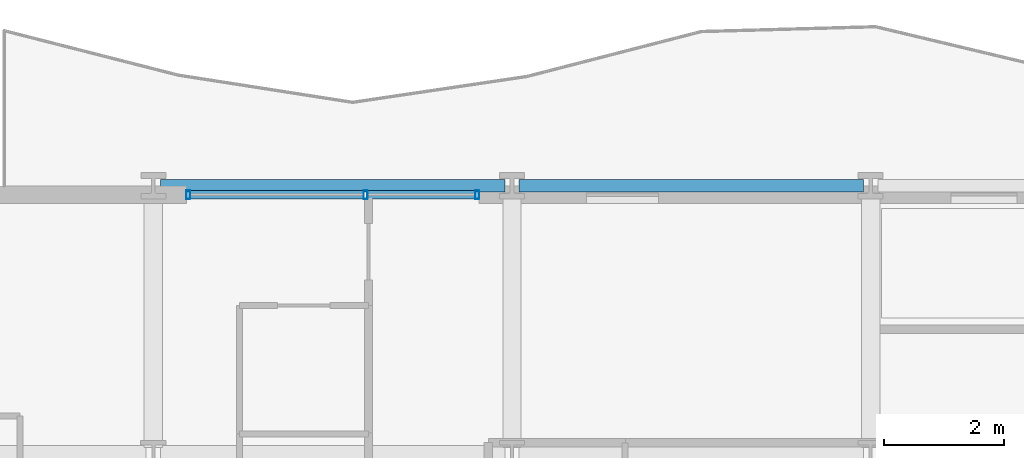
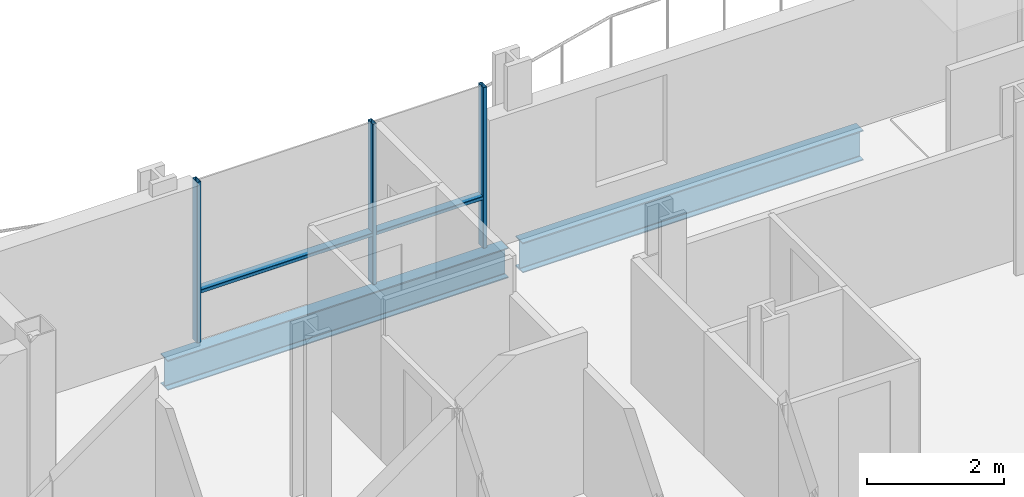
# One storey, part 21 of 40: 5 members, 2 beams, 1 element without a shape of its own.
"""IFC4 building model written with IfcOpenShell, lengths in metres."""

from ifc_helpers import new_model, si_unit, direction, frame, origin, origin_2d, place, context, subcontext, project, spatial, hollow_rectangle, i_section, extrude, material, layer, layer_set, material_profile, profile_set, type_object, element, aggregate, save


model = new_model("IFC4")

# Units and contexts
model_context = context("Model", 3, precision=1e-05, world=origin(), true_north=direction((0.0, 1.0)))
body_context = subcontext(model_context, "Body", "Model", "MODEL_VIEW")
ifc_project = project(units=[si_unit("LENGTHUNIT", "METRE"), si_unit("AREAUNIT", "SQUARE_METRE"), si_unit("VOLUMEUNIT", "CUBIC_METRE"), si_unit("PLANEANGLEUNIT", "RADIAN"), si_unit("MASSUNIT", "GRAM", prefix="KILO")], contexts=[model_context])

# Site, building, storey
site_placement = place(None, origin())
site = spatial("IfcSite", under=ifc_project, at=site_placement, CompositionType="ELEMENT")
building_placement = place(site_placement, origin())
building = spatial("IfcBuilding", under=site, at=building_placement, Name="Brevholm Reach", CompositionType="ELEMENT")
storey_placement = place(building_placement, frame((0.0, 0.0, 31.10009765625)))
storey = spatial("IfcBuildingStorey", under=building, at=storey_placement, Name="L07", CompositionType="ELEMENT", Elevation=31.10009765625)

# Beams
ifc_material_1 = material(Name="Structural Steel S355J2", Category="steel")
ifc_material_profile_1 = material_profile(ifc_material_1, i_section(OverallWidth=0.210693359375, OverallDepth=0.53955078125, WebThickness=0.01171875, FlangeThickness=0.018798828125, FilletRadius=0.0126953125, at=origin_2d()), Name="UKB 533x210x109")
ifc_profile_set_1 = profile_set([ifc_material_profile_1], Name="Structural Steel S355J2")
beam_type = type_object("IfcBeamType", Name="BM-SP539", PredefinedType="SPANDREL", material=ifc_profile_set_1)
for number, where, z_axis, x_axis, name in (
    (1, (6.1201171875, 31.0, -0.499755859375), (1.0, 0.0, 0.0), (0.0, 1.0, 0.0), "L07 SP-01B Framing Beam"),
    (2, (12.1201171875, 31.0, -0.499755859375), (1.0, 0.0, 0.0), (0.0, 1.0, 0.0), "L07 SP-01B Framing Beam"),
):
    element("IfcBeam", number, at=place(storey_placement, frame(where, z_axis=z_axis, x_axis=x_axis)), inside=storey, type_object=beam_type, Name=name, PredefinedType="SPANDREL", context=body_context, shape_type="SweptSolid", body=[
        extrude(i_section(OverallWidth=0.210693359375, OverallDepth=0.53955078125, WebThickness=0.01171875, FlangeThickness=0.018798828125, FilletRadius=0.0126953125, at=origin_2d()), origin(), (0.0, 0.0, 1.0), 5.759765625),
    ])

# Curtain wall, members
ifc_material_2 = material(Name="Dark Anodised Aluminium 6063-T6 and Solar-Control Glass", Category="aluminium")
ifc_layer = layer(ifc_material_2, 0.14990234375)
ifc_layer_set = layer_set([ifc_layer], Name="Dark Anodised Aluminium 6063-T6 and Solar-Control Glass")
curtain_wall_type = type_object("IfcCurtainWallType", Name="CW-01", PredefinedType="NOTDEFINED", material=ifc_layer_set)
curtain_wall_placement = place(storey_placement, origin())
curtain_wall = element("IfcCurtainWall", 3, at=curtain_wall_placement, inside=storey, type_object=curtain_wall_type, Name="L07 Curtain Wall CW-01", PredefinedType="NOTDEFINED")
ifc_material_3 = material(Name="Dark Anodised Aluminium 6063-T6", Category="aluminium")
ifc_material_profile_2 = material_profile(ifc_material_3, hollow_rectangle(XDim=0.06494140625, YDim=0.14990234375, WallThickness=0.0048828125, InnerFilletRadius=0.0048828125, OuterFilletRadius=0.010009765625, at=origin_2d()), Name="RHS 150x65x5")
ifc_profile_set_2 = profile_set([ifc_material_profile_2], Name="Dark Anodised Aluminium 6063-T6")
member_type_1 = type_object("IfcMemberType", Name="CWM-150", PredefinedType="MULLION", material=ifc_profile_set_2)
member_1_placement = place(storey_placement, frame((6.58251953125, 30.85009765625, 0.0), z_axis=(0.0, 0.0, 1.0), x_axis=(1.0, 0.0, 0.0)))
member_1 = element("IfcMember", 4, at=member_1_placement, type_object=member_type_1, Name="CM-150 Mullion 1", PredefinedType="MULLION", context=body_context, shape_type="SweptSolid", body=[
    extrude(hollow_rectangle(XDim=0.06494140625, YDim=0.14990234375, WallThickness=0.0048828125, InnerFilletRadius=0.0048828125, OuterFilletRadius=0.010009765625, at=origin_2d()), origin(), (0.0, 0.0, 1.0), 2.869873046875),
])
member_2_placement = place(storey_placement, frame((9.550048828125, 30.85009765625, 0.0), z_axis=(0.0, 0.0, 1.0), x_axis=(1.0, 0.0, 0.0)))
member_2 = element("IfcMember", 5, at=member_2_placement, type_object=member_type_1, Name="CM-150 Mullion 2", PredefinedType="MULLION", context=body_context, shape_type="SweptSolid", body=[
    extrude(hollow_rectangle(XDim=0.06494140625, YDim=0.14990234375, WallThickness=0.0048828125, InnerFilletRadius=0.0048828125, OuterFilletRadius=0.010009765625, at=origin_2d()), origin(), (0.0, 0.0, 1.0), 2.869873046875),
])
member_3_placement = place(storey_placement, frame((11.41748046875, 30.85009765625, 0.0), z_axis=(0.0, 0.0, 1.0), x_axis=(1.0, 0.0, 0.0)))
member_3 = element("IfcMember", 6, at=member_3_placement, type_object=member_type_1, Name="CM-150 Mullion 3", PredefinedType="MULLION", context=body_context, shape_type="SweptSolid", body=[
    extrude(hollow_rectangle(XDim=0.06494140625, YDim=0.14990234375, WallThickness=0.0048828125, InnerFilletRadius=0.0048828125, OuterFilletRadius=0.010009765625, at=origin_2d()), origin(), (0.0, 0.0, 1.0), 2.869873046875),
])
ifc_material_4 = material(Name="Dark Anodised Aluminium 6063-T6", Category="aluminium")
ifc_material_profile_3 = material_profile(ifc_material_4, hollow_rectangle(XDim=0.06494140625, YDim=0.14990234375, WallThickness=0.0048828125, InnerFilletRadius=0.0048828125, OuterFilletRadius=0.010009765625, at=origin_2d()), Name="RHS 150x65x5")
ifc_profile_set_3 = profile_set([ifc_material_profile_3], Name="Dark Anodised Aluminium 6063-T6")
member_type_2 = type_object("IfcMemberType", Name="CWT-150", PredefinedType="NOTDEFINED", material=ifc_profile_set_3)
member_4_placement = place(storey_placement, frame((6.614990234375, 30.85009765625, 0.89990234375), z_axis=(1.0, 0.0, 0.0), x_axis=(0.0, 0.0, 1.0)))
member_4 = element("IfcMember", 7, at=member_4_placement, type_object=member_type_2, Name="CT-150 Transom 1.1", ObjectType="TRANSOM", PredefinedType="USERDEFINED", context=body_context, shape_type="SweptSolid", body=[
    extrude(hollow_rectangle(XDim=0.06494140625, YDim=0.14990234375, WallThickness=0.0048828125, InnerFilletRadius=0.0048828125, OuterFilletRadius=0.010009765625, at=origin_2d()), origin(), (0.0, 0.0, 1.0), 2.902587890625),
])
member_5_placement = place(storey_placement, frame((9.58251953125, 30.85009765625, 0.89990234375), z_axis=(1.0, 0.0, 0.0), x_axis=(0.0, 0.0, 1.0)))
member_5 = element("IfcMember", 8, at=member_5_placement, type_object=member_type_2, Name="CT-150 Transom 2.1", ObjectType="TRANSOM", PredefinedType="USERDEFINED", context=body_context, shape_type="SweptSolid", body=[
    extrude(hollow_rectangle(XDim=0.06494140625, YDim=0.14990234375, WallThickness=0.0048828125, InnerFilletRadius=0.0048828125, OuterFilletRadius=0.010009765625, at=origin_2d()), origin(), (0.0, 0.0, 1.0), 1.802490234375),
])
aggregate(curtain_wall, [member_1, member_2, member_3, member_4, member_5])

save(model, "model.ifc")
